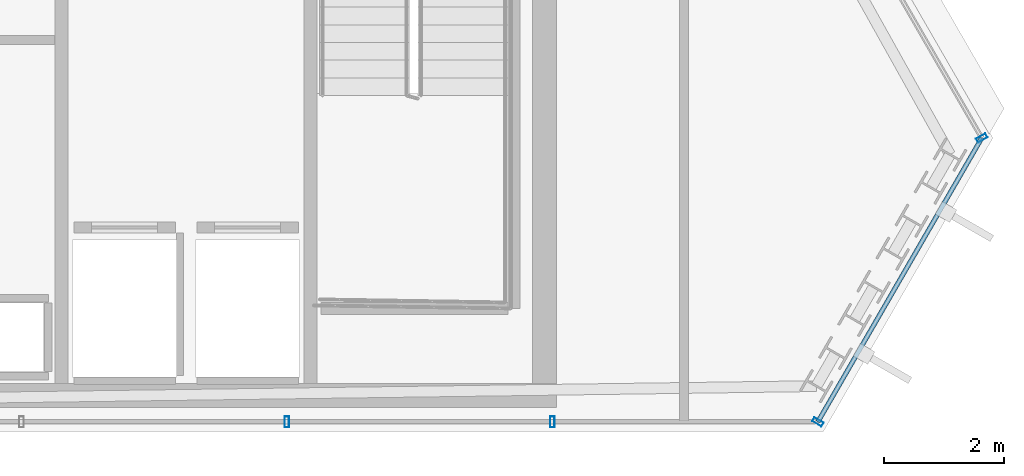
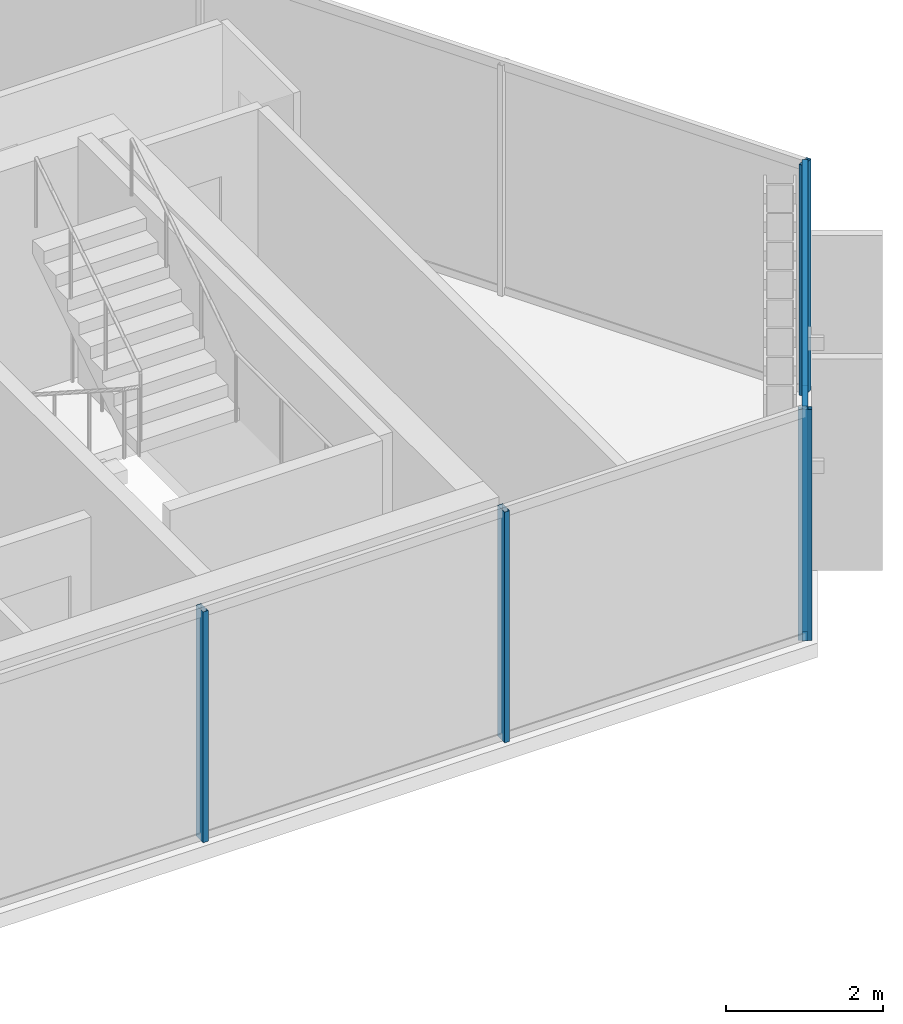
# One storey, part 22 of 34: 6 members, 3 elements without a shape of their own.
"""IFC4 building model written with IfcOpenShell, lengths in metres."""

from ifc_helpers import new_model, si_unit, direction, frame, origin, origin_2d, place, context, subcontext, project, spatial, hollow_rectangle, extrude, material, layer, layer_set, material_profile, profile_set, type_object, element, aggregate, save


model = new_model("IFC4")

# Units and contexts
model_context = context("Model", 3, precision=1e-05, world=origin(), true_north=direction((0.0, 1.0)))
body_context = subcontext(model_context, "Body", "Model", "MODEL_VIEW")
ifc_project = project(units=[si_unit("LENGTHUNIT", "METRE"), si_unit("AREAUNIT", "SQUARE_METRE"), si_unit("VOLUMEUNIT", "CUBIC_METRE"), si_unit("PLANEANGLEUNIT", "RADIAN"), si_unit("MASSUNIT", "GRAM", prefix="KILO")], contexts=[model_context])

# Site, building, storey
site_placement = place(None, origin())
site = spatial("IfcSite", under=ifc_project, at=site_placement, CompositionType="ELEMENT")
building_placement = place(site_placement, origin())
building = spatial("IfcBuilding", under=site, at=building_placement, Name="Ndaravel Arena Tower", CompositionType="ELEMENT")
storey_placement = place(building_placement, frame((0.0, 0.0, 263.60009765625)))
storey = spatial("IfcBuildingStorey", under=building, at=storey_placement, Name="L64", CompositionType="ELEMENT", Elevation=263.60009765625)

# Curtain wall, members
ifc_material_1 = material(Name="Aluminium", Category="aluminium")
ifc_layer_1 = layer(ifc_material_1, 0.179931640625)
ifc_layer_set_1 = layer_set([ifc_layer_1], Name="Aluminium")
curtain_wall_type_1 = type_object("IfcCurtainWallType", Name="CW-SYS-03", PredefinedType="NOTDEFINED", material=ifc_layer_set_1)
curtain_wall_1_placement = place(storey_placement, origin())
curtain_wall_1 = element("IfcCurtainWall", 1, at=curtain_wall_1_placement, inside=storey, type_object=curtain_wall_type_1, Name="L64 Faceted Crystal Curtain Wall CW-L64-E01", PredefinedType="NOTDEFINED")
ifc_material_2 = material(Name="Aluminium", Category="aluminium")
ifc_material_profile_1 = material_profile(ifc_material_2, hollow_rectangle(XDim=0.074951171875, YDim=0.179931640625, WallThickness=0.00390625, at=origin_2d()), Name="CW MULLION 75x180x4")
ifc_profile_set_1 = profile_set([ifc_material_profile_1], Name="Aluminium")
member_type_1 = type_object("IfcMemberType", Name="MEM-CW-MUL180", PredefinedType="MULLION", material=ifc_profile_set_1)
member_1_placement = place(storey_placement, frame((53.05615234375, 5.159912109375, 0.0), z_axis=(0.0, 0.0, 1.0), x_axis=(1.0, 0.0, 0.0)))
member_1 = element("IfcMember", 2, at=member_1_placement, type_object=member_type_1, Name="CW-L64-E01 Mullion 07", PredefinedType="MULLION", context=body_context, shape_type="SweptSolid", body=[
    extrude(hollow_rectangle(XDim=0.074951171875, YDim=0.179931640625, WallThickness=0.00390625, at=origin_2d()), origin(), (0.0, 0.0, 1.0), 3.579833984375),
])
member_2_placement = place(storey_placement, frame((57.478515625, 5.159912109375, 0.0), z_axis=(0.0, 0.0, 1.0), x_axis=(1.0, 0.0, 0.0)))
member_2 = element("IfcMember", 3, at=member_2_placement, type_object=member_type_1, Name="CW-L64-E01 Mullion 08", PredefinedType="MULLION", context=body_context, shape_type="SweptSolid", body=[
    extrude(hollow_rectangle(XDim=0.074951171875, YDim=0.179931640625, WallThickness=0.00390625, at=origin_2d()), origin(), (0.0, 0.0, 1.0), 3.579833984375),
])
aggregate(curtain_wall_1, [member_1, member_2])

# Curtain wall, member
ifc_material_3 = material(Name="Aluminium", Category="aluminium")
ifc_layer_2 = layer(ifc_material_3, 0.179931640625)
ifc_layer_set_2 = layer_set([ifc_layer_2], Name="Aluminium")
curtain_wall_type_2 = type_object("IfcCurtainWallType", Name="CW-SYS-01", PredefinedType="NOTDEFINED", material=ifc_layer_set_2)
curtain_wall_2_placement = place(storey_placement, origin())
curtain_wall_2 = element("IfcCurtainWall", 4, at=curtain_wall_2_placement, inside=storey, type_object=curtain_wall_type_2, Name="L64 Faceted Crystal Curtain Wall CW-L64-E02", PredefinedType="NOTDEFINED")
member_3_placement = place(storey_placement, frame((61.90087890625, 5.159912109375, 0.0), z_axis=(0.0, 0.0, 1.0), x_axis=(0.5, 0.866025403784, 0.0)))
member_3 = element("IfcMember", 5, at=member_3_placement, type_object=member_type_1, Name="CW-L64-E02 Mullion 00", PredefinedType="MULLION", context=body_context, shape_type="SweptSolid", body=[
    extrude(hollow_rectangle(XDim=0.074951171875, YDim=0.179931640625, WallThickness=0.00390625, at=origin_2d()), origin(), (0.0, 0.0, 1.0), 3.579833984375),
])

curtain_wall_3_placement = place(storey_placement, origin())
curtain_wall_3 = element("IfcCurtainWall", 6, at=curtain_wall_3_placement, inside=storey, type_object=curtain_wall_type_1, Name="L64 Faceted Crystal Curtain Wall CW-L64-E03", PredefinedType="NOTDEFINED")
member_4_placement = place(storey_placement, frame((64.631103515625, 9.888916015625, 0.0), z_axis=(0.0, 0.0, 1.0), x_axis=(-0.5, 0.866025403784, 0.0)))
member_4 = element("IfcMember", 7, at=member_4_placement, type_object=member_type_1, Name="CW-L64-E03 Mullion 00", PredefinedType="MULLION", context=body_context, shape_type="SweptSolid", body=[
    extrude(hollow_rectangle(XDim=0.074951171875, YDim=0.179931640625, WallThickness=0.00390625, at=origin_2d()), origin(), (0.0, 0.0, 1.0), 3.579833984375),
])
aggregate(curtain_wall_3, [member_4])

# Member
ifc_material_4 = material(Name="Aluminium", Category="aluminium")
ifc_material_profile_2 = material_profile(ifc_material_4, hollow_rectangle(XDim=0.074951171875, YDim=0.14990234375, WallThickness=0.00390625, at=origin_2d()), Name="CW TRANSOM 75x150x4")
ifc_profile_set_2 = profile_set([ifc_material_profile_2], Name="Aluminium")
member_type_2 = type_object("IfcMemberType", Name="MEM-CW-TRN150", PredefinedType="USERDEFINED", material=ifc_profile_set_2)
member_5_placement = place(storey_placement, frame((61.90087890625, 5.159912109375, 0.039794921875), z_axis=(0.499990788139, 0.86603072219, 0.0), x_axis=(-0.86603072219, 0.499990788139, 0.0)))
member_5 = element("IfcMember", 8, at=member_5_placement, type_object=member_type_2, Name="CW-L64-E02 Transom 01", ObjectType="TRANSOM", PredefinedType="USERDEFINED", context=body_context, shape_type="SweptSolid", body=[
    extrude(hollow_rectangle(XDim=0.074951171875, YDim=0.14990234375, WallThickness=0.00390625, at=origin_2d()), origin(), (0.0, 0.0, 1.0), 5.46044921875),
])

member_6_placement = place(storey_placement, frame((61.90087890625, 5.159912109375, 3.539794921875), z_axis=(0.499990788139, 0.86603072219, 0.0), x_axis=(-0.86603072219, 0.499990788139, 0.0)))
member_6 = element("IfcMember", 9, at=member_6_placement, type_object=member_type_2, Name="CW-L64-E02 Transom 02", ObjectType="TRANSOM", PredefinedType="USERDEFINED", context=body_context, shape_type="SweptSolid", body=[
    extrude(hollow_rectangle(XDim=0.074951171875, YDim=0.14990234375, WallThickness=0.00390625, at=origin_2d()), origin(), (0.0, 0.0, 1.0), 5.46044921875),
])

aggregate(curtain_wall_2, [member_3, member_5, member_6])

save(model, "model.ifc")
